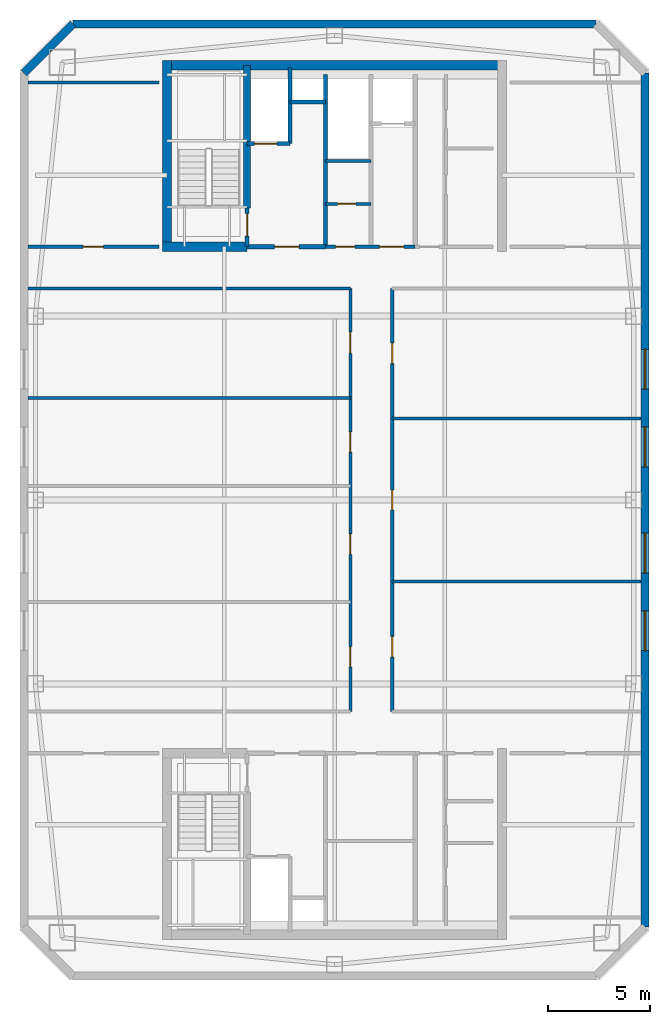
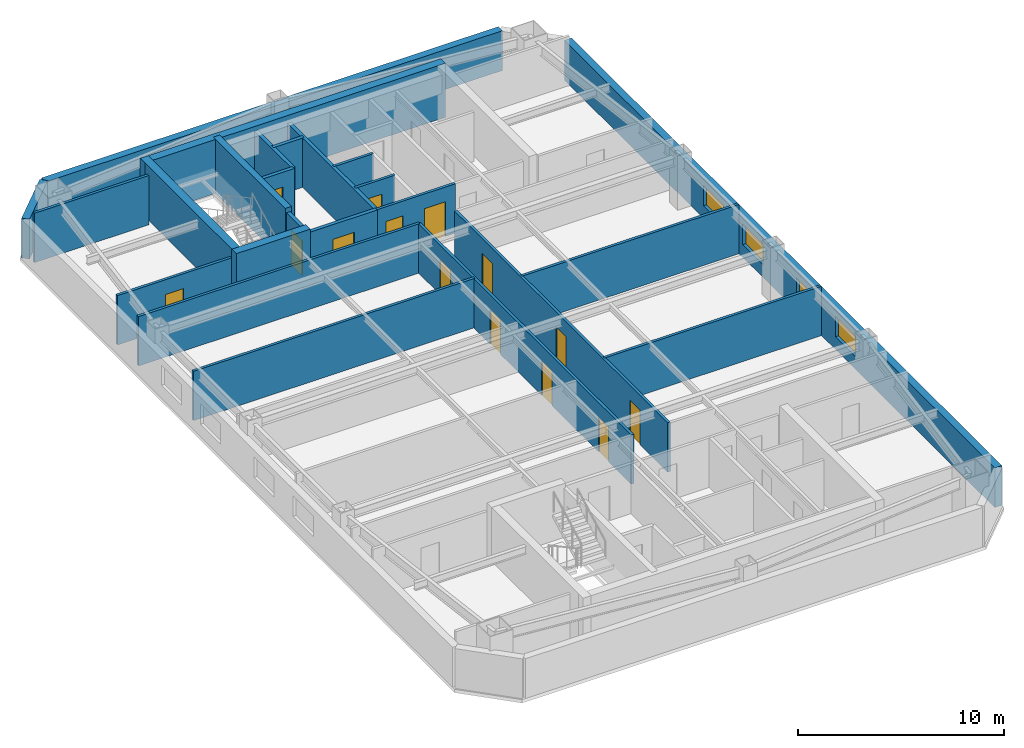
# One storey, part 3 of 5: 24 walls, 14 doors, 4 windows, 18 openings.
"""IFC4 building model written with IfcOpenShell, lengths in metres."""

from ifc_helpers import new_model, si_unit, direction, frame, frame_2d, origin, place, context, subcontext, project, spatial, rectangle, extrude, material, layer, layer_set, type_object, element, fill, save


model = new_model("IFC4")

# Units and contexts
model_context = context("Model", 3, precision=1e-05, world=origin(), true_north=direction((0.0, 1.0)))
body_context = subcontext(model_context, "Body", "Model", "MODEL_VIEW")
ifc_project = project(units=[si_unit("LENGTHUNIT", "METRE"), si_unit("AREAUNIT", "SQUARE_METRE"), si_unit("VOLUMEUNIT", "CUBIC_METRE"), si_unit("PLANEANGLEUNIT", "RADIAN"), si_unit("MASSUNIT", "GRAM", prefix="KILO")], contexts=[model_context])

# Site, building, storey
site_placement = place(None, origin())
site = spatial("IfcSite", under=ifc_project, at=site_placement, CompositionType="ELEMENT")
building_placement = place(site_placement, origin())
building = spatial("IfcBuilding", under=site, at=building_placement, Name="Qiaolan Cultural Towers", CompositionType="ELEMENT")
storey_placement = place(building_placement, frame((0.0, 0.0, 253.60009765625)))
storey = spatial("IfcBuildingStorey", under=building, at=storey_placement, Name="L69", CompositionType="ELEMENT", Elevation=253.60009765625)

# Walls
ifc_material_1 = material(Name="Concrete C50", Category="concrete")
ifc_layer_1 = layer(ifc_material_1, 0.35009765625)
ifc_layer_set_1 = layer_set([ifc_layer_1], Name="Concrete C50")
wall_type_1 = type_object("IfcWallType", Name="WL-CORE-350", PredefinedType="SHEAR", material=ifc_layer_set_1)
wall_1_placement = place(storey_placement, frame((25.719970703125, 48.300048828125, 0.0), z_axis=(0.0, 0.0, 1.0), x_axis=(0.0, 1.0, 0.0)))
element("IfcWall", 1, at=wall_1_placement, inside=storey, type_object=wall_type_1, Name="L69 T1-CN Stair Core Dividing Web", PredefinedType="SHEAR", context=body_context, shape_type="SweptSolid", body=[
    extrude(rectangle(XDim=6.97998046875, YDim=0.35009765625, at=frame_2d((3.489990234375, 0.0))), origin(), (0.0, 0.0, 1.0), 3.199951171875),
])
ifc_material_2 = material(Name="Concrete C50", Category="concrete")
ifc_layer_2 = layer(ifc_material_2, 0.449951171875)
ifc_layer_set_2 = layer_set([ifc_layer_2], Name="Concrete C50")
wall_type_2 = type_object("IfcWallType", Name="WL-CORE-450", PredefinedType="SHEAR", material=ifc_layer_set_2)
wall_2_placement = place(storey_placement, frame((21.574951171875, 55.280029296875, 0.0), z_axis=(0.0, 0.0, 1.0), x_axis=(1.0, 0.0, 0.0)))
element("IfcWall", 2, at=wall_2_placement, inside=storey, type_object=wall_type_2, Name="L69 T1-CN Outer Core Shear Wall", PredefinedType="SHEAR", context=body_context, shape_type="SweptSolid", body=[
    extrude(rectangle(XDim=16.85009765625, YDim=0.449951171875, at=frame_2d((8.425048828125, 0.0))), origin(), (0.0, 0.0, 1.0), 3.199951171875),
])
wall_3_placement = place(storey_placement, frame((21.800048828125, 46.175048828125, 0.0), z_axis=(0.0, 0.0, 1.0), x_axis=(0.0, 1.0, 0.0)))
element("IfcWall", 3, at=wall_3_placement, inside=storey, type_object=wall_type_2, Name="L69 T1-CN West Core Shear Wall", PredefinedType="SHEAR", context=body_context, shape_type="SweptSolid", body=[
    extrude(rectangle(XDim=9.329833984375, YDim=0.449951171875, at=frame_2d((4.6650390625, 0.0))), origin(), (0.0, 0.0, 1.0), 3.199951171875),
])
wall_4_placement = place(storey_placement, frame((21.574951171875, 46.39990234375, 0.0), z_axis=(0.0, 0.0, 1.0), x_axis=(1.0, 0.0, 0.0)))
element("IfcWall", 4, at=wall_4_placement, inside=storey, type_object=wall_type_2, Name="L69 T1-CN Stair Front Shear Wall", PredefinedType="SHEAR", context=body_context, shape_type="SweptSolid", body=[
    extrude(rectangle(XDim=4.14501953125, YDim=0.449951171875, at=frame_2d((2.072509765625, 0.0))), origin(), (0.0, 0.0, 1.0), 3.199951171875),
])
ifc_material_3 = material(Name="Precast Concrete C50 Honed Stone Pier", Category="masonry")
ifc_layer_3 = layer(ifc_material_3, 0.39990234375)
ifc_layer_set_3 = layer_set([ifc_layer_3], Name="Precast Concrete C50 Honed Stone Pier")
wall_type_3 = type_object("IfcWallType", Name="WL-EXT-PIER-400", PredefinedType="SOLIDWALL", material=ifc_layer_set_3)
wall_5_placement = place(storey_placement, frame((14.800048828125, 54.89990234375, 0.0), z_axis=(0.0, 0.0, 1.0), x_axis=(0.707070815327, 0.707142745217, 0.0)))
element("IfcWall", 5, at=wall_5_placement, inside=storey, type_object=wall_type_3, Name="L69 West Tower Precast Pier Facade Wall F2", PredefinedType="SOLIDWALL", context=body_context, shape_type="SweptSolid", body=[
    extrude(rectangle(XDim=3.39404296875, YDim=0.39990234375, at=frame_2d((1.697021484375, 0.0))), origin(), (0.0, 0.0, 1.0), 2.35986328125),
])
wall_6_placement = place(storey_placement, frame((17.199951171875, 57.300048828125, 0.0), z_axis=(0.0, 0.0, 1.0), x_axis=(1.0, 0.0, 0.0)))
element("IfcWall", 6, at=wall_6_placement, inside=storey, type_object=wall_type_3, Name="L69 West Tower Precast Pier Facade Wall F3", PredefinedType="SOLIDWALL", context=body_context, shape_type="SweptSolid", body=[
    extrude(rectangle(XDim=25.60009765625, YDim=0.39990234375, at=frame_2d((12.800048828125, 0.0))), origin(), (0.0, 0.0, 1.0), 2.35986328125),
])

# Wall, openings, windows
wall_7_placement = place(storey_placement, frame((45.199951171875, 54.89990234375, 0.0), z_axis=(0.0, 0.0, 1.0), x_axis=(0.0, -1.0, 0.0)))
wall_7 = element("IfcWall", 7, at=wall_7_placement, inside=storey, type_object=wall_type_3, Name="L69 West Tower Precast Pier Facade Wall F5", PredefinedType="SOLIDWALL", context=body_context, shape_type="SweptSolid", body=[
    extrude(rectangle(XDim=41.7998046875, YDim=0.39990234375, at=frame_2d((20.89990234375, 0.0))), origin(), (0.0, 0.0, 1.0), 2.35986328125),
])
opening_1_placement = place(wall_7_placement, frame((26.324951171875, 0.0, 0.75)))
opening_1 = element("IfcOpeningElement", 8, at=opening_1_placement, cuts=wall_7, Name="Opening W-06", PredefinedType="OPENING", context=body_context, shape_type="SweptSolid", body=[
    extrude(rectangle(XDim=1.949951171875, YDim=1.2099609375, at=frame_2d((0.97509765625, 0.60498046875))), frame((0.0, 0.2099609375, 0.0), z_axis=(0.0, -1.0, 0.0), x_axis=(1.0, 0.0, 0.0)), (0.0, 0.0, 1.0), 0.419921875),
])
opening_2_placement = place(wall_7_placement, frame((22.52490234375, 0.0, 0.75)))
opening_2 = element("IfcOpeningElement", 9, at=opening_2_placement, cuts=wall_7, Name="Opening W-06", PredefinedType="OPENING", context=body_context, shape_type="SweptSolid", body=[
    extrude(rectangle(XDim=1.949951171875, YDim=1.2099609375, at=frame_2d((0.97509765625, 0.60498046875))), frame((0.0, 0.2099609375, 0.0), z_axis=(0.0, -1.0, 0.0), x_axis=(1.0, 0.0, 0.0)), (0.0, 0.0, 1.0), 0.419921875),
])
opening_3_placement = place(wall_7_placement, frame((17.324951171875, 0.0, 0.75)))
opening_3 = element("IfcOpeningElement", 10, at=opening_3_placement, cuts=wall_7, Name="Opening W-06", PredefinedType="OPENING", context=body_context, shape_type="SweptSolid", body=[
    extrude(rectangle(XDim=1.949951171875, YDim=1.2099609375, at=frame_2d((0.97509765625, 0.60498046875))), frame((0.0, 0.2099609375, 0.0), z_axis=(0.0, -1.0, 0.0), x_axis=(1.0, 0.0, 0.0)), (0.0, 0.0, 1.0), 0.419921875),
])
opening_4_placement = place(wall_7_placement, frame((13.52490234375, 0.0, 0.75)))
opening_4 = element("IfcOpeningElement", 11, at=opening_4_placement, cuts=wall_7, Name="Opening W-06", PredefinedType="OPENING", context=body_context, shape_type="SweptSolid", body=[
    extrude(rectangle(XDim=1.949951171875, YDim=1.2099609375, at=frame_2d((0.97509765625, 0.60498046875))), frame((0.0, 0.2099609375, 0.0), z_axis=(0.0, -1.0, 0.0), x_axis=(1.0, 0.0, 0.0)), (0.0, 0.0, 1.0), 0.419921875),
])
ifc_material_4 = material(Name="Thermally Broken Aluminium Triple Low-E Glazing", Category="aluminium")
window_type = type_object("IfcWindowType", Name="WN-CHIC-1950", PartitioningType="SINGLE_PANEL", PredefinedType="WINDOW", material=ifc_material_4)
window_1_placement = place(opening_1_placement, origin())
window_1 = element("IfcWindow", 12, at=window_1_placement, inside=storey, type_object=window_type, Name="L69 T1 E Chicago Bay Window 1", OverallHeight=1.2099609375, OverallWidth=1.949951171875, PartitioningType="TRIPLE_PANEL_VERTICAL", PredefinedType="WINDOW", context=body_context, shape_type="SweptSolid", body=[
    extrude(rectangle(XDim=1.949951171875, YDim=1.2099609375, at=frame_2d((0.97509765625, 0.60498046875))), frame((0.0, 0.030029296875, 0.0), z_axis=(0.0, -1.0, 0.0), x_axis=(1.0, 0.0, 0.0)), (0.0, 0.0, 1.0), 0.06005859375),
])
fill(opening_1, window_1)
window_2_placement = place(opening_2_placement, origin())
window_2 = element("IfcWindow", 13, at=window_2_placement, inside=storey, type_object=window_type, Name="L69 T1 E Chicago Bay Window 2", OverallHeight=1.2099609375, OverallWidth=1.949951171875, PartitioningType="TRIPLE_PANEL_VERTICAL", PredefinedType="WINDOW", context=body_context, shape_type="SweptSolid", body=[
    extrude(rectangle(XDim=1.949951171875, YDim=1.2099609375, at=frame_2d((0.97509765625, 0.60498046875))), frame((0.0, 0.030029296875, 0.0), z_axis=(0.0, -1.0, 0.0), x_axis=(1.0, 0.0, 0.0)), (0.0, 0.0, 1.0), 0.06005859375),
])
fill(opening_2, window_2)
window_3_placement = place(opening_3_placement, origin())
window_3 = element("IfcWindow", 14, at=window_3_placement, inside=storey, type_object=window_type, Name="L69 T1 E Chicago Bay Window 3", OverallHeight=1.2099609375, OverallWidth=1.949951171875, PartitioningType="TRIPLE_PANEL_VERTICAL", PredefinedType="WINDOW", context=body_context, shape_type="SweptSolid", body=[
    extrude(rectangle(XDim=1.949951171875, YDim=1.2099609375, at=frame_2d((0.97509765625, 0.60498046875))), frame((0.0, 0.030029296875, 0.0), z_axis=(0.0, -1.0, 0.0), x_axis=(1.0, 0.0, 0.0)), (0.0, 0.0, 1.0), 0.06005859375),
])
fill(opening_3, window_3)
window_4_placement = place(opening_4_placement, origin())
window_4 = element("IfcWindow", 15, at=window_4_placement, inside=storey, type_object=window_type, Name="L69 T1 E Chicago Bay Window 4", OverallHeight=1.2099609375, OverallWidth=1.949951171875, PartitioningType="TRIPLE_PANEL_VERTICAL", PredefinedType="WINDOW", context=body_context, shape_type="SweptSolid", body=[
    extrude(rectangle(XDim=1.949951171875, YDim=1.2099609375, at=frame_2d((0.97509765625, 0.60498046875))), frame((0.0, 0.030029296875, 0.0), z_axis=(0.0, -1.0, 0.0), x_axis=(1.0, 0.0, 0.0)), (0.0, 0.0, 1.0), 0.06005859375),
])
fill(opening_4, window_4)

# Wall, opening, door
ifc_material_5 = material(Name="Concrete C35 Fire Wall", Category="concrete")
ifc_layer_4 = layer(ifc_material_5, 0.199951171875)
ifc_layer_set_4 = layer_set([ifc_layer_4], Name="Concrete C35 Fire Wall")
wall_type_4 = type_object("IfcWallType", Name="WL-FIRE-200", PredefinedType="PARTITIONING", material=ifc_layer_set_4)
wall_8_placement = place(storey_placement, frame((25.719970703125, 46.39990234375, 0.0), z_axis=(0.0, 0.0, 1.0), x_axis=(0.0, 1.0, 0.0)))
wall_8 = element("IfcWall", 16, at=wall_8_placement, inside=storey, type_object=wall_type_4, Name="L69 T1-CN Smokeproof Stair Entry Wall", PredefinedType="PARTITIONING", context=body_context, shape_type="SweptSolid", body=[
    extrude(rectangle(XDim=1.900146484375, YDim=0.199951171875, at=frame_2d((0.9501953125, 0.0))), origin(), (0.0, 0.0, 1.0), 2.9248046875),
])
opening_5_placement = place(wall_8_placement, frame((0.52001953125, 0.0, 0.0)))
opening_5 = element("IfcOpeningElement", 17, at=opening_5_placement, cuts=wall_8, Name="Opening FD-04", PredefinedType="OPENING", context=body_context, shape_type="SweptSolid", body=[
    extrude(rectangle(XDim=1.10009765625, YDim=2.050048828125, at=frame_2d((0.550048828125, 1.02490234375))), frame((0.0, 0.10986328125, 0.0), z_axis=(0.0, -1.0, 0.0), x_axis=(1.0, 0.0, 0.0)), (0.0, 0.0, 1.0), 0.219970703125),
])
ifc_material_6 = material(Name="Galvanized Steel Command Fire Door", Category="steel")
door_type_1 = type_object("IfcDoorType", Name="DR-FD90-1100", OperationType="NOTDEFINED", PredefinedType="DOOR", material=ifc_material_6)
door_1_placement = place(opening_5_placement, origin())
door_1 = element("IfcDoor", 18, at=door_1_placement, inside=storey, type_object=door_type_1, Name="L69 ST-W2 Smokeproof Stair Fire Door", OperationType="SINGLE_SWING_LEFT", OverallHeight=2.050048828125, OverallWidth=1.10009765625, PredefinedType="DOOR", context=body_context, shape_type="SweptSolid", body=[
    extrude(rectangle(XDim=1.10009765625, YDim=2.050048828125, at=frame_2d((0.550048828125, 1.02490234375))), frame((0.0, 0.02490234375, 0.0), z_axis=(0.0, -1.0, 0.0), x_axis=(1.0, 0.0, 0.0)), (0.0, 0.0, 1.0), 0.050048828125),
])
fill(opening_5, door_1)

# Wall
wall_9_placement = place(storey_placement, frame((29.550048828125, 46.39990234375, 0.0), z_axis=(0.0, 0.0, 1.0), x_axis=(0.0, 1.0, 0.0)))
element("IfcWall", 19, at=wall_9_placement, inside=storey, type_object=wall_type_4, Name="L69 T1-CN Firefighting Zone Wall", PredefinedType="PARTITIONING", context=body_context, shape_type="SweptSolid", body=[
    extrude(rectangle(XDim=8.43017578125, YDim=0.199951171875, at=frame_2d((4.215087890625, 0.0))), origin(), (0.0, 0.0, 1.0), 2.9248046875),
])

# Wall, opening, door
wall_10_placement = place(storey_placement, frame((25.719970703125, 46.39990234375, 0.0), z_axis=(0.0, 0.0, 1.0), x_axis=(1.0, 0.0, 0.0)))
wall_10 = element("IfcWall", 20, at=wall_10_placement, inside=storey, type_object=wall_type_4, Name="L69 T1-CN Firefighting Lobby Front Wall", PredefinedType="PARTITIONING", context=body_context, shape_type="SweptSolid", body=[
    extrude(rectangle(XDim=3.830078125, YDim=0.199951171875, at=frame_2d((1.9150390625, 0.0))), origin(), (0.0, 0.0, 1.0), 2.9248046875),
])
opening_6_placement = place(wall_10_placement, frame((1.35009765625, 0.0, 0.0)))
opening_6 = element("IfcOpeningElement", 21, at=opening_6_placement, cuts=wall_10, Name="Opening FD-03", PredefinedType="OPENING", context=body_context, shape_type="SweptSolid", body=[
    extrude(rectangle(XDim=1.199951171875, YDim=2.050048828125, at=frame_2d((0.60009765625, 1.02490234375))), frame((0.0, 0.10986328125, 0.0), z_axis=(0.0, -1.0, 0.0), x_axis=(1.0, 0.0, 0.0)), (0.0, 0.0, 1.0), 0.219970703125),
])
ifc_material_7 = material(Name="Galvanized Steel Smokeproof Lobby Fire Door", Category="steel")
door_type_2 = type_object("IfcDoorType", Name="DR-FD90-1200", OperationType="NOTDEFINED", PredefinedType="DOOR", material=ifc_material_7)
door_2_placement = place(opening_6_placement, origin())
door_2 = element("IfcDoor", 22, at=door_2_placement, inside=storey, type_object=door_type_2, Name="L69 FFL-W2 Firefighting Lobby Fire Door", OperationType="SINGLE_SWING_LEFT", OverallHeight=2.050048828125, OverallWidth=1.199951171875, PredefinedType="DOOR", context=body_context, shape_type="SweptSolid", body=[
    extrude(rectangle(XDim=1.199951171875, YDim=2.050048828125, at=frame_2d((0.60009765625, 1.02490234375))), frame((0.0, 0.02490234375, 0.0), z_axis=(0.0, -1.0, 0.0), x_axis=(1.0, 0.0, 0.0)), (0.0, 0.0, 1.0), 0.050048828125),
])
fill(opening_6, door_2)

wall_11_placement = place(storey_placement, frame((25.719970703125, 51.449951171875, 0.0), z_axis=(0.0, 0.0, 1.0), x_axis=(1.0, 0.0, 0.0)))
wall_11 = element("IfcWall", 23, at=wall_11_placement, inside=storey, type_object=wall_type_4, Name="L69 T1-CN Firefighting Shaft Front Wall", PredefinedType="PARTITIONING", context=body_context, shape_type="SweptSolid", body=[
    extrude(rectangle(XDim=2.10009765625, YDim=0.199951171875, at=frame_2d((1.050048828125, 0.0))), origin(), (0.0, 0.0, 1.0), 2.9248046875),
])
opening_7_placement = place(wall_11_placement, frame((0.35009765625, 0.0, 0.0)))
opening_7 = element("IfcOpeningElement", 24, at=opening_7_placement, cuts=wall_11, Name="Opening LD-01", PredefinedType="OPENING", context=body_context, shape_type="SweptSolid", body=[
    extrude(rectangle(XDim=1.10009765625, YDim=2.050048828125, at=frame_2d((0.550048828125, 1.02490234375))), frame((0.0, 0.10986328125, 0.0), z_axis=(0.0, -1.0, 0.0), x_axis=(1.0, 0.0, 0.0)), (0.0, 0.0, 1.0), 0.219970703125),
])
ifc_material_8 = material(Name="Brushed Stainless Steel S30408 Centre-Parting Lift Landing Door", Category="steel")
door_type_3 = type_object("IfcDoorType", Name="DR-LIFT-1100", OperationType="NOTDEFINED", PredefinedType="DOOR", material=ifc_material_8)
door_3_placement = place(opening_7_placement, origin())
door_3 = element("IfcDoor", 25, at=door_3_placement, inside=storey, type_object=door_type_3, Name="L69 FFL-W2 Firefighting Lift Landing Door", OperationType="DOUBLE_DOOR_SLIDING", OverallHeight=2.050048828125, OverallWidth=1.10009765625, PredefinedType="DOOR", context=body_context, shape_type="SweptSolid", body=[
    extrude(rectangle(XDim=1.10009765625, YDim=2.050048828125, at=frame_2d((0.550048828125, 1.02490234375))), frame((0.0, 0.02490234375, 0.0), z_axis=(0.0, -1.0, 0.0), x_axis=(1.0, 0.0, 0.0)), (0.0, 0.0, 1.0), 0.050048828125),
])
fill(opening_7, door_3)

# Walls
wall_12_placement = place(storey_placement, frame((27.820068359375, 51.449951171875, 0.0), z_axis=(0.0, 0.0, 1.0), x_axis=(0.0, 1.0, 0.0)))
element("IfcWall", 26, at=wall_12_placement, inside=storey, type_object=wall_type_4, Name="L69 T1-CN Firefighting Hoistway East Wall", PredefinedType="PARTITIONING", context=body_context, shape_type="SweptSolid", body=[
    extrude(rectangle(XDim=3.699951171875, YDim=0.199951171875, at=frame_2d((1.85009765625, 0.0))), origin(), (0.0, 0.0, 1.0), 2.9248046875),
])
wall_13_placement = place(storey_placement, frame((27.820068359375, 53.47998046875, 0.0), z_axis=(0.0, 0.0, 1.0), x_axis=(1.0, 0.0, 0.0)))
element("IfcWall", 27, at=wall_13_placement, inside=storey, type_object=wall_type_4, Name="L69 T1-CN Pressurization Shaft Front Wall", PredefinedType="PARTITIONING", context=body_context, shape_type="SweptSolid", body=[
    extrude(rectangle(XDim=1.72998046875, YDim=0.199951171875, at=frame_2d((0.864990234375, 0.0))), origin(), (0.0, 0.0, 1.0), 2.9248046875),
])

# Wall, openings, doors
ifc_material_9 = material(Name="Autoclaved Aerated Concrete Block B06", Category="concrete")
ifc_layer_5 = layer(ifc_material_9, 0.14990234375)
ifc_layer_set_5 = layer_set([ifc_layer_5], Name="Autoclaved Aerated Concrete Block B06")
wall_type_5 = type_object("IfcWallType", Name="WL-PART-150", PredefinedType="PARTITIONING", material=ifc_layer_set_5)
wall_14_placement = place(storey_placement, frame((29.550048828125, 46.39990234375, 0.0), z_axis=(0.0, 0.0, 1.0), x_axis=(1.0, 0.0, 0.0)))
wall_14 = element("IfcWall", 28, at=wall_14_placement, inside=storey, type_object=wall_type_5, Name="L69 T1-CN High-Zone Lift Lobby Wall", PredefinedType="PARTITIONING", context=body_context, shape_type="SweptSolid", body=[
    extrude(rectangle(XDim=4.39990234375, YDim=0.14990234375, at=frame_2d((2.199951171875, 0.0))), origin(), (0.0, 0.0, 1.0), 2.9248046875),
])
opening_8_placement = place(wall_14_placement, frame((0.5, 0.0, 0.0)))
opening_8 = element("IfcOpeningElement", 29, at=opening_8_placement, cuts=wall_14, Name="Opening ID-05", PredefinedType="OPENING", context=body_context, shape_type="SweptSolid", body=[
    extrude(rectangle(XDim=0.949951171875, YDim=2.050048828125, at=frame_2d((0.47509765625, 1.02490234375))), frame((0.0, 0.0849609375, 0.0), z_axis=(0.0, -1.0, 0.0), x_axis=(1.0, 0.0, 0.0)), (0.0, 0.0, 1.0), 0.169921875),
])
opening_9_placement = place(wall_14_placement, frame((2.64990234375, 0.0, 0.0)))
opening_9 = element("IfcOpeningElement", 30, at=opening_9_placement, cuts=wall_14, Name="Opening FD-06", PredefinedType="OPENING", context=body_context, shape_type="SweptSolid", body=[
    extrude(rectangle(XDim=1.199951171875, YDim=2.050048828125, at=frame_2d((0.60009765625, 1.02490234375))), frame((0.0, 0.0849609375, 0.0), z_axis=(0.0, -1.0, 0.0), x_axis=(1.0, 0.0, 0.0)), (0.0, 0.0, 1.0), 0.169921875),
])
ifc_material_10 = material(Name="Painted Steel Plant Fire Door", Category="steel")
door_type_4 = type_object("IfcDoorType", Name="DR-FD60-1200", OperationType="NOTDEFINED", PredefinedType="DOOR", material=ifc_material_10)
door_4_placement = place(opening_9_placement, origin())
door_4 = element("IfcDoor", 31, at=door_4_placement, inside=storey, type_object=door_type_4, Name="L69 Sky Shuttle Lift Lobby Door", OperationType="SINGLE_SWING_RIGHT", OverallHeight=2.050048828125, OverallWidth=1.199951171875, PredefinedType="DOOR", context=body_context, shape_type="SweptSolid", body=[
    extrude(rectangle(XDim=1.199951171875, YDim=2.050048828125, at=frame_2d((0.60009765625, 1.02490234375))), frame((0.0, 0.02490234375, 0.0), z_axis=(0.0, -1.0, 0.0), x_axis=(1.0, 0.0, 0.0)), (0.0, 0.0, 1.0), 0.050048828125),
])
fill(opening_9, door_4)
ifc_material_11 = material(Name="Fire-Rated Laminate Accessible Core Door", Category="timber")
door_type_5 = type_object("IfcDoorType", Name="DR-INT-950", OperationType="NOTDEFINED", PredefinedType="DOOR", material=ifc_material_11)
door_5_placement = place(opening_8_placement, origin())
door_5 = element("IfcDoor", 32, at=door_5_placement, inside=storey, type_object=door_type_5, Name="L69 Reclaimed Server Room Door", OperationType="SINGLE_SWING_LEFT", OverallHeight=2.050048828125, OverallWidth=0.949951171875, PredefinedType="DOOR", context=body_context, shape_type="SweptSolid", body=[
    extrude(rectangle(XDim=0.949951171875, YDim=2.050048828125, at=frame_2d((0.47509765625, 1.02490234375))), frame((0.0, 0.02490234375, 0.0), z_axis=(0.0, -1.0, 0.0), x_axis=(1.0, 0.0, 0.0)), (0.0, 0.0, 1.0), 0.050048828125),
])
fill(opening_8, door_5)

# Wall
wall_15_placement = place(storey_placement, frame((29.550048828125, 50.60009765625, 0.0), z_axis=(0.0, 0.0, 1.0), x_axis=(1.0, 0.0, 0.0)))
element("IfcWall", 33, at=wall_15_placement, inside=storey, type_object=wall_type_5, Name="L69 T1-CN High-Zone Smoke Shaft Split", PredefinedType="PARTITIONING", context=body_context, shape_type="SweptSolid", body=[
    extrude(rectangle(XDim=2.22998046875, YDim=0.14990234375, at=frame_2d((1.114990234375, 0.0))), origin(), (0.0, 0.0, 1.0), 2.9248046875),
])

# Wall, opening, door
wall_16_placement = place(storey_placement, frame((29.550048828125, 48.5, 0.0), z_axis=(0.0, 0.0, 1.0), x_axis=(1.0, 0.0, 0.0)))
wall_16 = element("IfcWall", 34, at=wall_16_placement, inside=storey, type_object=wall_type_5, Name="L69 T1-CN High-Zone Archive Suite Partition", PredefinedType="PARTITIONING", context=body_context, shape_type="SweptSolid", body=[
    extrude(rectangle(XDim=2.22998046875, YDim=0.14990234375, at=frame_2d((1.114990234375, 0.0))), origin(), (0.0, 0.0, 1.0), 2.9248046875),
])
opening_10_placement = place(wall_16_placement, frame((0.60009765625, 0.0, 0.0)))
opening_10 = element("IfcOpeningElement", 35, at=opening_10_placement, cuts=wall_16, Name="Opening ID-06", PredefinedType="OPENING", context=body_context, shape_type="SweptSolid", body=[
    extrude(rectangle(XDim=0.89990234375, YDim=2.050048828125, at=frame_2d((0.449951171875, 1.02490234375))), frame((0.0, 0.0849609375, 0.0), z_axis=(0.0, -1.0, 0.0), x_axis=(1.0, 0.0, 0.0)), (0.0, 0.0, 1.0), 0.169921875),
])
ifc_material_12 = material(Name="Fire-Rated Laminate Core Service Door", Category="timber")
door_type_6 = type_object("IfcDoorType", Name="DR-INT-900", OperationType="NOTDEFINED", PredefinedType="DOOR", material=ifc_material_12)
door_6_placement = place(opening_10_placement, origin())
door_6 = element("IfcDoor", 36, at=door_6_placement, inside=storey, type_object=door_type_6, Name="L69 Archive Vault Inner Door", OperationType="SINGLE_SWING_LEFT", OverallHeight=2.050048828125, OverallWidth=0.89990234375, PredefinedType="DOOR", context=body_context, shape_type="SweptSolid", body=[
    extrude(rectangle(XDim=0.89990234375, YDim=2.050048828125, at=frame_2d((0.449951171875, 1.02490234375))), frame((0.0, 0.02490234375, 0.0), z_axis=(0.0, -1.0, 0.0), x_axis=(1.0, 0.0, 0.0)), (0.0, 0.0, 1.0), 0.050048828125),
])
fill(opening_10, door_6)

# Wall
wall_17_placement = place(storey_placement, frame((15.0, 54.449951171875, 0.0), z_axis=(0.0, 0.0, 1.0), x_axis=(1.0, 0.0, 0.0)))
element("IfcWall", 37, at=wall_17_placement, inside=storey, type_object=wall_type_5, Name="L69 T1 Flank Wall FLK-NW", PredefinedType="PARTITIONING", context=body_context, shape_type="SweptSolid", body=[
    extrude(rectangle(XDim=6.39990234375, YDim=0.14990234375, at=frame_2d((3.199951171875, 0.0))), origin(), (0.0, 0.0, 1.0), 2.9248046875),
])

# Wall, opening, door
wall_18_placement = place(storey_placement, frame((15.0, 46.39990234375, 0.0), z_axis=(0.0, 0.0, 1.0), x_axis=(1.0, 0.0, 0.0)))
wall_18 = element("IfcWall", 38, at=wall_18_placement, inside=storey, type_object=wall_type_5, Name="L69 T1 Flank Front FLK-NW", PredefinedType="PARTITIONING", context=body_context, shape_type="SweptSolid", body=[
    extrude(rectangle(XDim=6.39990234375, YDim=0.14990234375, at=frame_2d((3.199951171875, 0.0))), origin(), (0.0, 0.0, 1.0), 2.9248046875),
])
opening_11_placement = place(wall_18_placement, frame((2.68798828125, 0.0, 0.0)))
opening_11 = element("IfcOpeningElement", 39, at=opening_11_placement, cuts=wall_18, Name="Opening ID-04", PredefinedType="OPENING", context=body_context, shape_type="SweptSolid", body=[
    extrude(rectangle(XDim=1.0, YDim=2.050048828125, at=frame_2d((0.5, 1.02490234375))), frame((0.0, 0.0849609375, 0.0), z_axis=(0.0, -1.0, 0.0), x_axis=(1.0, 0.0, 0.0)), (0.0, 0.0, 1.0), 0.169921875),
])
ifc_material_13 = material(Name="Oak Veneer Acoustic Office Door", Category="timber")
door_type_7 = type_object("IfcDoorType", Name="DR-INT-1000", OperationType="NOTDEFINED", PredefinedType="DOOR", material=ifc_material_13)
door_7_placement = place(opening_11_placement, origin())
door_7 = element("IfcDoor", 40, at=door_7_placement, inside=storey, type_object=door_type_7, Name="L69 T1 Corner Studio Door", OperationType="SINGLE_SWING_LEFT", OverallHeight=2.050048828125, OverallWidth=1.0, PredefinedType="DOOR", context=body_context, shape_type="SweptSolid", body=[
    extrude(rectangle(XDim=1.0, YDim=2.050048828125, at=frame_2d((0.5, 1.02490234375))), frame((0.0, 0.02490234375, 0.0), z_axis=(0.0, -1.0, 0.0), x_axis=(1.0, 0.0, 0.0)), (0.0, 0.0, 1.0), 0.050048828125),
])
fill(opening_11, door_7)

# Wall
wall_19_placement = place(storey_placement, frame((15.0, 44.35009765625, 0.0), z_axis=(0.0, 0.0, 1.0), x_axis=(1.0, 0.0, 0.0)))
element("IfcWall", 41, at=wall_19_placement, inside=storey, type_object=wall_type_5, Name="L69 T1 North Corridor Left Wall", PredefinedType="PARTITIONING", context=body_context, shape_type="SweptSolid", body=[
    extrude(rectangle(XDim=15.77490234375, YDim=0.14990234375, at=frame_2d((7.887451171875, 0.0))), origin(), (0.0, 0.0, 1.0), 2.9248046875),
])

# Wall, openings, doors
wall_20_placement = place(storey_placement, frame((30.77490234375, 23.64990234375, 0.0), z_axis=(0.0, 0.0, 1.0), x_axis=(0.0, 1.0, 0.0)))
wall_20 = element("IfcWall", 42, at=wall_20_placement, inside=storey, type_object=wall_type_5, Name="L69 T1 West Spine Wall", PredefinedType="PARTITIONING", context=body_context, shape_type="SweptSolid", body=[
    extrude(rectangle(XDim=20.7001953125, YDim=0.14990234375, at=frame_2d((10.35009765625, 0.0))), origin(), (0.0, 0.0, 1.0), 2.9248046875),
])
opening_12_placement = place(wall_20_placement, frame((2.175048828125, 0.0, 0.0)))
opening_12 = element("IfcOpeningElement", 43, at=opening_12_placement, cuts=wall_20, Name="Opening ID-04", PredefinedType="OPENING", context=body_context, shape_type="SweptSolid", body=[
    extrude(rectangle(XDim=1.0, YDim=2.050048828125, at=frame_2d((0.5, 1.02490234375))), frame((0.0, 0.0849609375, 0.0), z_axis=(0.0, -1.0, 0.0), x_axis=(1.0, 0.0, 0.0)), (0.0, 0.0, 1.0), 0.169921875),
])
opening_13_placement = place(wall_20_placement, frame((7.68994140625, 0.0, 0.0)))
opening_13 = element("IfcOpeningElement", 44, at=opening_13_placement, cuts=wall_20, Name="Opening ID-04", PredefinedType="OPENING", context=body_context, shape_type="SweptSolid", body=[
    extrude(rectangle(XDim=1.0, YDim=2.050048828125, at=frame_2d((0.5, 1.02490234375))), frame((0.0, 0.0849609375, 0.0), z_axis=(0.0, -1.0, 0.0), x_axis=(1.0, 0.0, 0.0)), (0.0, 0.0, 1.0), 0.169921875),
])
opening_14_placement = place(wall_20_placement, frame((12.68994140625, 0.0, 0.0)))
opening_14 = element("IfcOpeningElement", 45, at=opening_14_placement, cuts=wall_20, Name="Opening ID-04", PredefinedType="OPENING", context=body_context, shape_type="SweptSolid", body=[
    extrude(rectangle(XDim=1.0, YDim=2.050048828125, at=frame_2d((0.5, 1.02490234375))), frame((0.0, 0.0849609375, 0.0), z_axis=(0.0, -1.0, 0.0), x_axis=(1.0, 0.0, 0.0)), (0.0, 0.0, 1.0), 0.169921875),
])
opening_15_placement = place(wall_20_placement, frame((17.52490234375, 0.0, 0.0)))
opening_15 = element("IfcOpeningElement", 46, at=opening_15_placement, cuts=wall_20, Name="Opening ID-07", PredefinedType="OPENING", context=body_context, shape_type="SweptSolid", body=[
    extrude(rectangle(XDim=1.050048828125, YDim=2.050048828125, at=frame_2d((0.52490234375, 1.02490234375))), frame((0.0, 0.0849609375, 0.0), z_axis=(0.0, -1.0, 0.0), x_axis=(1.0, 0.0, 0.0)), (0.0, 0.0, 1.0), 0.169921875),
])
door_8_placement = place(opening_12_placement, origin())
door_8 = element("IfcDoor", 47, at=door_8_placement, inside=storey, type_object=door_type_7, Name="L69 T1 Chairman Office Door", OperationType="SINGLE_SWING_LEFT", OverallHeight=2.050048828125, OverallWidth=1.0, PredefinedType="DOOR", context=body_context, shape_type="SweptSolid", body=[
    extrude(rectangle(XDim=1.0, YDim=2.050048828125, at=frame_2d((0.5, 1.02490234375))), frame((0.0, 0.02490234375, 0.0), z_axis=(0.0, -1.0, 0.0), x_axis=(1.0, 0.0, 0.0)), (0.0, 0.0, 1.0), 0.050048828125),
])
fill(opening_12, door_8)
door_9_placement = place(opening_13_placement, origin())
door_9 = element("IfcDoor", 48, at=door_9_placement, inside=storey, type_object=door_type_7, Name="L69 T1 Managing Partner Office Door", OperationType="SINGLE_SWING_RIGHT", OverallHeight=2.050048828125, OverallWidth=1.0, PredefinedType="DOOR", context=body_context, shape_type="SweptSolid", body=[
    extrude(rectangle(XDim=1.0, YDim=2.050048828125, at=frame_2d((0.5, 1.02490234375))), frame((0.0, 0.02490234375, 0.0), z_axis=(0.0, -1.0, 0.0), x_axis=(1.0, 0.0, 0.0)), (0.0, 0.0, 1.0), 0.050048828125),
])
fill(opening_13, door_9)
door_10_placement = place(opening_14_placement, origin())
door_10 = element("IfcDoor", 49, at=door_10_placement, inside=storey, type_object=door_type_7, Name="L69 T1 Senior Counsel Office Door", OperationType="SINGLE_SWING_LEFT", OverallHeight=2.050048828125, OverallWidth=1.0, PredefinedType="DOOR", context=body_context, shape_type="SweptSolid", body=[
    extrude(rectangle(XDim=1.0, YDim=2.050048828125, at=frame_2d((0.5, 1.02490234375))), frame((0.0, 0.02490234375, 0.0), z_axis=(0.0, -1.0, 0.0), x_axis=(1.0, 0.0, 0.0)), (0.0, 0.0, 1.0), 0.050048828125),
])
fill(opening_14, door_10)
ifc_material_14 = material(Name="Oak Veneer Consultation Door", Category="timber")
door_type_8 = type_object("IfcDoorType", Name="DR-INT-1050", OperationType="NOTDEFINED", PredefinedType="DOOR", material=ifc_material_14)
door_11_placement = place(opening_15_placement, origin())
door_11 = element("IfcDoor", 50, at=door_11_placement, inside=storey, type_object=door_type_8, Name="L69 T1 Executive Boardroom Door", OperationType="SINGLE_SWING_RIGHT", OverallHeight=2.050048828125, OverallWidth=1.050048828125, PredefinedType="DOOR", context=body_context, shape_type="SweptSolid", body=[
    extrude(rectangle(XDim=1.050048828125, YDim=2.050048828125, at=frame_2d((0.52490234375, 1.02490234375))), frame((0.0, 0.02490234375, 0.0), z_axis=(0.0, -1.0, 0.0), x_axis=(1.0, 0.0, 0.0)), (0.0, 0.0, 1.0), 0.050048828125),
])
fill(opening_15, door_11)

wall_21_placement = place(storey_placement, frame((32.824951171875, 23.64990234375, 0.0), z_axis=(0.0, 0.0, 1.0), x_axis=(0.0, 1.0, 0.0)))
wall_21 = element("IfcWall", 51, at=wall_21_placement, inside=storey, type_object=wall_type_5, Name="L69 T1 East Spine Wall", PredefinedType="PARTITIONING", context=body_context, shape_type="SweptSolid", body=[
    extrude(rectangle(XDim=20.7001953125, YDim=0.14990234375, at=frame_2d((10.35009765625, 0.0))), origin(), (0.0, 0.0, 1.0), 2.9248046875),
])
opening_16_placement = place(wall_21_placement, frame((2.675048828125, 0.0, 0.0)))
opening_16 = element("IfcOpeningElement", 52, at=opening_16_placement, cuts=wall_21, Name="Opening ID-04", PredefinedType="OPENING", context=body_context, shape_type="SweptSolid", body=[
    extrude(rectangle(XDim=1.0, YDim=2.050048828125, at=frame_2d((0.5, 1.02490234375))), frame((0.0, 0.0849609375, 0.0), z_axis=(0.0, -1.0, 0.0), x_axis=(1.0, 0.0, 0.0)), (0.0, 0.0, 1.0), 0.169921875),
])
opening_17_placement = place(wall_21_placement, frame((9.85009765625, 0.0, 0.0)))
opening_17 = element("IfcOpeningElement", 53, at=opening_17_placement, cuts=wall_21, Name="Opening ID-04", PredefinedType="OPENING", context=body_context, shape_type="SweptSolid", body=[
    extrude(rectangle(XDim=1.0, YDim=2.050048828125, at=frame_2d((0.5, 1.02490234375))), frame((0.0, 0.0849609375, 0.0), z_axis=(0.0, -1.0, 0.0), x_axis=(1.0, 0.0, 0.0)), (0.0, 0.0, 1.0), 0.169921875),
])
opening_18_placement = place(wall_21_placement, frame((17.02490234375, 0.0, 0.0)))
opening_18 = element("IfcOpeningElement", 54, at=opening_18_placement, cuts=wall_21, Name="Opening ID-04", PredefinedType="OPENING", context=body_context, shape_type="SweptSolid", body=[
    extrude(rectangle(XDim=1.0, YDim=2.050048828125, at=frame_2d((0.5, 1.02490234375))), frame((0.0, 0.0849609375, 0.0), z_axis=(0.0, -1.0, 0.0), x_axis=(1.0, 0.0, 0.0)), (0.0, 0.0, 1.0), 0.169921875),
])
door_12_placement = place(opening_16_placement, origin())
door_12 = element("IfcDoor", 55, at=door_12_placement, inside=storey, type_object=door_type_7, Name="L69 T1 Sky Club Lounge Door", OperationType="SINGLE_SWING_RIGHT", OverallHeight=2.050048828125, OverallWidth=1.0, PredefinedType="DOOR", context=body_context, shape_type="SweptSolid", body=[
    extrude(rectangle(XDim=1.0, YDim=2.050048828125, at=frame_2d((0.5, 1.02490234375))), frame((0.0, 0.02490234375, 0.0), z_axis=(0.0, -1.0, 0.0), x_axis=(1.0, 0.0, 0.0)), (0.0, 0.0, 1.0), 0.050048828125),
])
fill(opening_16, door_12)
door_13_placement = place(opening_17_placement, origin())
door_13 = element("IfcDoor", 56, at=door_13_placement, inside=storey, type_object=door_type_7, Name="L69 T1 Executive Dining Kitchen Door", OperationType="SINGLE_SWING_LEFT", OverallHeight=2.050048828125, OverallWidth=1.0, PredefinedType="DOOR", context=body_context, shape_type="SweptSolid", body=[
    extrude(rectangle(XDim=1.0, YDim=2.050048828125, at=frame_2d((0.5, 1.02490234375))), frame((0.0, 0.02490234375, 0.0), z_axis=(0.0, -1.0, 0.0), x_axis=(1.0, 0.0, 0.0)), (0.0, 0.0, 1.0), 0.050048828125),
])
fill(opening_17, door_13)
door_14_placement = place(opening_18_placement, origin())
door_14 = element("IfcDoor", 57, at=door_14_placement, inside=storey, type_object=door_type_7, Name="L69 T1 Private Art Salon Door", OperationType="SINGLE_SWING_RIGHT", OverallHeight=2.050048828125, OverallWidth=1.0, PredefinedType="DOOR", context=body_context, shape_type="SweptSolid", body=[
    extrude(rectangle(XDim=1.0, YDim=2.050048828125, at=frame_2d((0.5, 1.02490234375))), frame((0.0, 0.02490234375, 0.0), z_axis=(0.0, -1.0, 0.0), x_axis=(1.0, 0.0, 0.0)), (0.0, 0.0, 1.0), 0.050048828125),
])
fill(opening_18, door_14)

# Walls
wall_22_placement = place(storey_placement, frame((15.0, 39.0, 0.0), z_axis=(0.0, 0.0, 1.0), x_axis=(1.0, 0.0, 0.0)))
element("IfcWall", 58, at=wall_22_placement, inside=storey, type_object=wall_type_5, Name="L69 T1 West Partition 3", PredefinedType="PARTITIONING", context=body_context, shape_type="SweptSolid", body=[
    extrude(rectangle(XDim=15.77490234375, YDim=0.14990234375, at=frame_2d((7.887451171875, 0.0))), origin(), (0.0, 0.0, 1.0), 2.9248046875),
])
for number, where, z_axis, x_axis, name in (
    (59, (32.824951171875, 30.0, 0.0), (0.0, 0.0, 1.0), (1.0, 0.0, 0.0), "L69 T1 East Partition 1"),
    (60, (32.824951171875, 38.0, 0.0), (0.0, 0.0, 1.0), (1.0, 0.0, 0.0), "L69 T1 East Partition 2"),
):
    element("IfcWall", number, at=place(storey_placement, frame(where, z_axis=z_axis, x_axis=x_axis)), inside=storey, type_object=wall_type_5, Name=name, PredefinedType="PARTITIONING", context=body_context, shape_type="SweptSolid", body=[
        extrude(rectangle(XDim=12.175048828125, YDim=0.14990234375, at=frame_2d((6.08740234375, 0.0))), origin(), (0.0, 0.0, 1.0), 2.9248046875),
    ])

save(model, "model.ifc")
